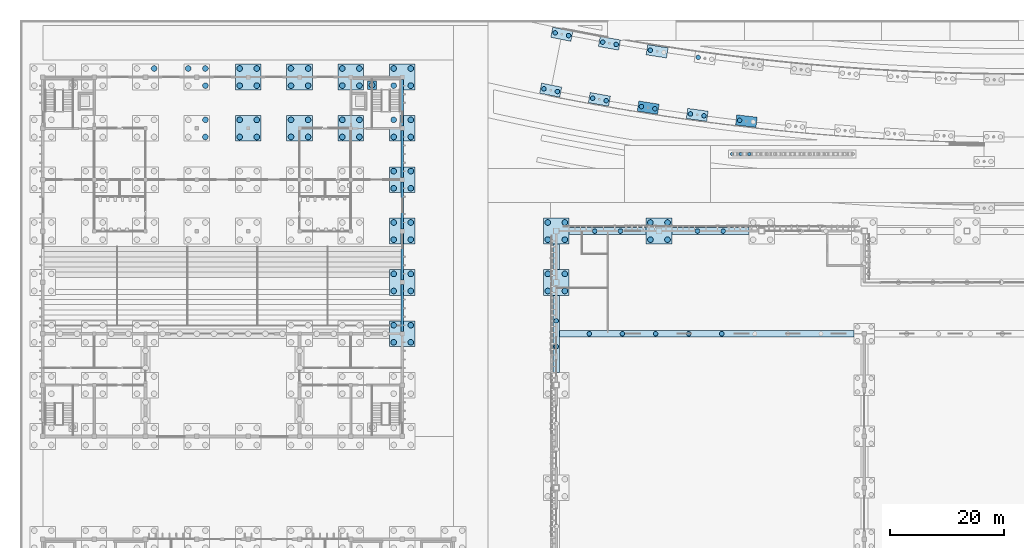
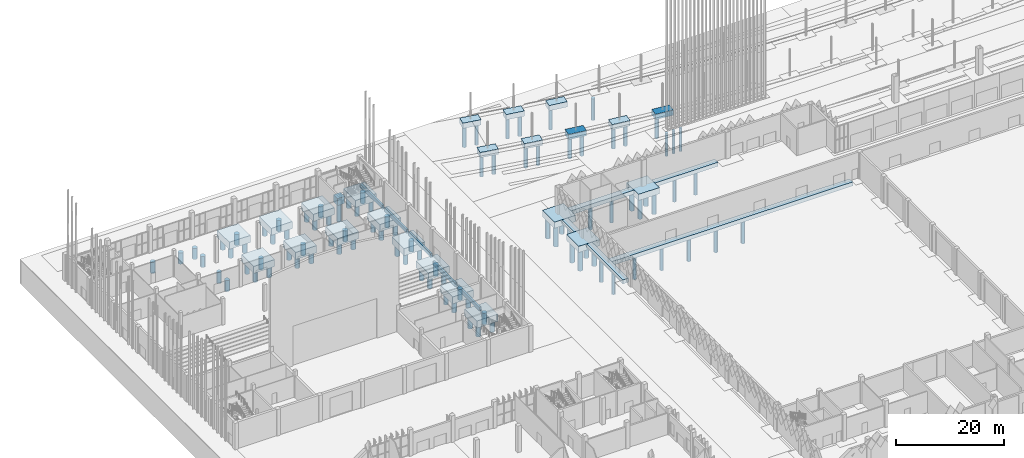
# One storey, part 10 of 198: 96 piles, 34 footings.
"""IFC4 building model written with IfcOpenShell, lengths in metres."""

from ifc_helpers import new_model, si_unit, direction, frame, origin, origin_2d, place, context, subcontext, project, spatial, polyline, circle, outline, extrude, material, layer, layer_set, material_profile, profile_set, type_object, element, save


model = new_model("IFC4")

# Units and contexts
model_context = context("Model", 3, precision=1e-05, world=origin(), true_north=direction((0.0, 1.0)))
body_context = subcontext(model_context, "Body", "Model", "MODEL_VIEW")
ifc_project = project(units=[si_unit("LENGTHUNIT", "METRE"), si_unit("AREAUNIT", "SQUARE_METRE"), si_unit("VOLUMEUNIT", "CUBIC_METRE"), si_unit("PLANEANGLEUNIT", "RADIAN"), si_unit("MASSUNIT", "GRAM", prefix="KILO")], contexts=[model_context])

# Site, building, storey
site_placement = place(None, origin())
site = spatial("IfcSite", under=ifc_project, at=site_placement, CompositionType="ELEMENT")
building_placement = place(site_placement, origin())
building = spatial("IfcBuilding", under=site, at=building_placement, Name="Opaline Strait Convention Centre", CompositionType="ELEMENT")
storey_placement = place(building_placement, origin())
storey = spatial("IfcBuildingStorey", under=building, at=storey_placement, Name="L00", CompositionType="ELEMENT", Elevation=0.0)

# Piles
ifc_material_1 = material(Name="Concrete C35", Category="concrete")
ifc_material_profile_1 = material_profile(ifc_material_1, circle(Radius=0.5, at=origin_2d()), Name="D1000")
ifc_profile_set_1 = profile_set([ifc_material_profile_1], Name="Concrete C35")
pile_type_1 = type_object("IfcPileType", Name="Bored pile D1000 C35", PredefinedType="BORED", material=ifc_profile_set_1)
for number, where, z_axis, x_axis, name in (
    (1, (97.5, 142.5, -1.300048828125), (0.0, 0.0, -1.0), (1.0, 0.0, 0.0), "Bored pile of cap 99/144"),
    (2, (97.5, 145.5, -1.300048828125), (0.0, 0.0, -1.0), (1.0, 0.0, 0.0), "Bored pile of cap 99/144"),
    (3, (100.5, 142.5, -1.300048828125), (0.0, 0.0, -1.0), (1.0, 0.0, 0.0), "Bored pile of cap 99/144"),
    (4, (100.5, 145.5, -1.300048828125), (0.0, 0.0, -1.0), (1.0, 0.0, 0.0), "Bored pile of cap 99/144"),
    (5, (97.5, 151.5, -1.300048828125), (0.0, 0.0, -1.0), (1.0, 0.0, 0.0), "Bored pile of cap 99/153"),
    (6, (97.5, 154.5, -1.300048828125), (0.0, 0.0, -1.0), (1.0, 0.0, 0.0), "Bored pile of cap 99/153"),
    (7, (100.5, 151.5, -1.300048828125), (0.0, 0.0, -1.0), (1.0, 0.0, 0.0), "Bored pile of cap 99/153"),
    (8, (100.5, 154.5, -1.300048828125), (0.0, 0.0, -1.0), (1.0, 0.0, 0.0), "Bored pile of cap 99/153"),
    (9, (115.5, 151.5, -1.300048828125), (0.0, 0.0, -1.0), (1.0, 0.0, 0.0), "Bored pile of cap 117/153"),
    (10, (115.5, 154.5, -1.300048828125), (0.0, 0.0, -1.0), (1.0, 0.0, 0.0), "Bored pile of cap 117/153"),
    (11, (118.5, 151.5, -1.300048828125), (0.0, 0.0, -1.0), (1.0, 0.0, 0.0), "Bored pile of cap 117/153"),
    (12, (118.5, 154.5, -1.300048828125), (0.0, 0.0, -1.0), (1.0, 0.0, 0.0), "Bored pile of cap 117/153"),
):
    element("IfcPile", number, at=place(storey_placement, frame(where, z_axis=z_axis, x_axis=x_axis)), inside=storey, type_object=pile_type_1, Name=name, PredefinedType="BORED", context=body_context, shape_type="SweptSolid", body=[
        extrude(circle(Radius=0.5, at=origin_2d()), origin(), (0.0, 0.0, 1.0), 4.699951171875),
    ])
ifc_material_profile_2 = material_profile(ifc_material_1, circle(Radius=0.5, at=origin_2d()), Name="D1000")
ifc_profile_set_2 = profile_set([ifc_material_profile_2], Name="Concrete C35")
pile_type_2 = type_object("IfcPileType", Name="Bored pile D1000 L2.5 C35", PredefinedType="BORED", material=ifc_profile_set_2)
for number, where, z_axis, x_axis, name in (
    (13, (70.5, 133.5, -3.5), (0.0, 0.0, -1.0), (1.0, 0.0, 0.0), "PPL1 pile 1 of PPC1 at 9/R"),
    (14, (70.5, 136.5, -3.5), (0.0, 0.0, -1.0), (1.0, 0.0, 0.0), "PPL1 pile 2 of PPC1 at 9/R"),
    (15, (73.5, 133.5, -3.5), (0.0, 0.0, -1.0), (1.0, 0.0, 0.0), "PPL1 pile 3 of PPC1 at 9/R"),
    (16, (73.5, 136.5, -3.5), (0.0, 0.0, -1.0), (1.0, 0.0, 0.0), "PPL1 pile 4 of PPC1 at 9/R"),
    (17, (70.5, 142.5, -3.5), (0.0, 0.0, -1.0), (1.0, 0.0, 0.0), "PPL1 pile 1 of PPC1 at 9/S"),
    (18, (70.5, 145.5, -3.5), (0.0, 0.0, -1.0), (1.0, 0.0, 0.0), "PPL1 pile 2 of PPC1 at 9/S"),
    (19, (73.5, 142.5, -3.5), (0.0, 0.0, -1.0), (1.0, 0.0, 0.0), "PPL1 pile 3 of PPC1 at 9/S"),
    (20, (73.5, 145.5, -3.5), (0.0, 0.0, -1.0), (1.0, 0.0, 0.0), "PPL1 pile 4 of PPC1 at 9/S"),
    (21, (70.5, 151.5, -3.5), (0.0, 0.0, -1.0), (1.0, 0.0, 0.0), "PPL1 pile 1 of PPC1 at 9/T"),
    (22, (70.5, 154.5, -3.5), (0.0, 0.0, -1.0), (1.0, 0.0, 0.0), "PPL1 pile 2 of PPC1 at 9/T"),
    (23, (73.5, 151.5, -3.5), (0.0, 0.0, -1.0), (1.0, 0.0, 0.0), "PPL1 pile 3 of PPC1 at 9/T"),
    (24, (73.5, 154.5, -3.5), (0.0, 0.0, -1.0), (1.0, 0.0, 0.0), "PPL1 pile 4 of PPC1 at 9/T"),
    (25, (70.5, 160.5, -3.5), (0.0, 0.0, -1.0), (1.0, 0.0, 0.0), "PPL1 pile 1 of PPC1 at 9/U"),
    (26, (70.5, 163.5, -3.5), (0.0, 0.0, -1.0), (1.0, 0.0, 0.0), "PPL1 pile 2 of PPC1 at 9/U"),
    (27, (73.5, 160.5, -3.5), (0.0, 0.0, -1.0), (1.0, 0.0, 0.0), "PPL1 pile 3 of PPC1 at 9/U"),
    (28, (73.5, 163.5, -3.5), (0.0, 0.0, -1.0), (1.0, 0.0, 0.0), "PPL1 pile 4 of PPC1 at 9/U"),
    (29, (37.5, 169.5, -3.5), (0.0, 0.0, -1.0), (1.0, 0.0, 0.0), "PPL1 pile 3 of PPC1 at 5/V"),
    (30, (37.5, 172.5, -3.5), (0.0, 0.0, -1.0), (1.0, 0.0, 0.0), "PPL1 pile 4 of PPC1 at 5/V"),
    (31, (43.5, 169.5, -3.5), (0.0, 0.0, -1.0), (1.0, 0.0, 0.0), "PPL1 pile 1 of PPC1 at 6/V"),
    (32, (43.5, 172.5, -3.5), (0.0, 0.0, -1.0), (1.0, 0.0, 0.0), "PPL1 pile 2 of PPC1 at 6/V"),
    (33, (46.5, 169.5, -3.5), (0.0, 0.0, -1.0), (1.0, 0.0, 0.0), "PPL1 pile 3 of PPC1 at 6/V"),
    (34, (46.5, 172.5, -3.5), (0.0, 0.0, -1.0), (1.0, 0.0, 0.0), "PPL1 pile 4 of PPC1 at 6/V"),
    (35, (52.5, 169.5, -3.5), (0.0, 0.0, -1.0), (1.0, 0.0, 0.0), "PPL1 pile 1 of PPC1 at 7/V"),
    (36, (52.5, 172.5, -3.5), (0.0, 0.0, -1.0), (1.0, 0.0, 0.0), "PPL1 pile 2 of PPC1 at 7/V"),
    (37, (55.5, 169.5, -3.5), (0.0, 0.0, -1.0), (1.0, 0.0, 0.0), "PPL1 pile 3 of PPC1 at 7/V"),
    (38, (55.5, 172.5, -3.5), (0.0, 0.0, -1.0), (1.0, 0.0, 0.0), "PPL1 pile 4 of PPC1 at 7/V"),
    (39, (61.5, 169.5, -3.5), (0.0, 0.0, -1.0), (1.0, 0.0, 0.0), "PPL1 pile 1 of PPC1 at 8/V"),
    (40, (61.5, 172.5, -3.5), (0.0, 0.0, -1.0), (1.0, 0.0, 0.0), "PPL1 pile 2 of PPC1 at 8/V"),
    (41, (64.5, 169.5, -3.5), (0.0, 0.0, -1.0), (1.0, 0.0, 0.0), "PPL1 pile 3 of PPC1 at 8/V"),
    (42, (64.5, 172.5, -3.5), (0.0, 0.0, -1.0), (1.0, 0.0, 0.0), "PPL1 pile 4 of PPC1 at 8/V"),
    (43, (70.5, 169.5, -3.5), (0.0, 0.0, -1.0), (1.0, 0.0, 0.0), "PPL1 pile 1 of PPC1 at 9/V"),
    (44, (70.5, 172.5, -3.5), (0.0, 0.0, -1.0), (1.0, 0.0, 0.0), "PPL1 pile 2 of PPC1 at 9/V"),
    (45, (73.5, 169.5, -3.5), (0.0, 0.0, -1.0), (1.0, 0.0, 0.0), "PPL1 pile 3 of PPC1 at 9/V"),
    (46, (73.5, 172.5, -3.5), (0.0, 0.0, -1.0), (1.0, 0.0, 0.0), "PPL1 pile 4 of PPC1 at 9/V"),
    (47, (28.5, 181.5, -3.5), (0.0, 0.0, -1.0), (1.0, 0.0, 0.0), "PPL1 pile 4 of PPC1 at 4/W"),
    (48, (34.5, 181.5, -3.5), (0.0, 0.0, -1.0), (1.0, 0.0, 0.0), "PPL1 pile 2 of PPC1 at 5/W"),
    (49, (37.5, 178.5, -3.5), (0.0, 0.0, -1.0), (1.0, 0.0, 0.0), "PPL1 pile 3 of PPC1 at 5/W"),
    (50, (37.5, 181.5, -3.5), (0.0, 0.0, -1.0), (1.0, 0.0, 0.0), "PPL1 pile 4 of PPC1 at 5/W"),
    (51, (43.5, 178.5, -3.5), (0.0, 0.0, -1.0), (1.0, 0.0, 0.0), "PPL1 pile 1 of PPC1 at 6/W"),
    (52, (43.5, 181.5, -3.5), (0.0, 0.0, -1.0), (1.0, 0.0, 0.0), "PPL1 pile 2 of PPC1 at 6/W"),
    (53, (46.5, 178.5, -3.5), (0.0, 0.0, -1.0), (1.0, 0.0, 0.0), "PPL1 pile 3 of PPC1 at 6/W"),
    (54, (46.5, 181.5, -3.5), (0.0, 0.0, -1.0), (1.0, 0.0, 0.0), "PPL1 pile 4 of PPC1 at 6/W"),
    (55, (52.5, 178.5, -3.5), (0.0, 0.0, -1.0), (1.0, 0.0, 0.0), "PPL1 pile 1 of PPC1 at 7/W"),
    (56, (52.5, 181.5, -3.5), (0.0, 0.0, -1.0), (1.0, 0.0, 0.0), "PPL1 pile 2 of PPC1 at 7/W"),
    (57, (55.5, 178.5, -3.5), (0.0, 0.0, -1.0), (1.0, 0.0, 0.0), "PPL1 pile 3 of PPC1 at 7/W"),
    (58, (55.5, 181.5, -3.5), (0.0, 0.0, -1.0), (1.0, 0.0, 0.0), "PPL1 pile 4 of PPC1 at 7/W"),
    (59, (61.5, 178.5, -3.5), (0.0, 0.0, -1.0), (1.0, 0.0, 0.0), "PPL1 pile 1 of PPC1 at 8/W"),
    (60, (61.5, 181.5, -3.5), (0.0, 0.0, -1.0), (1.0, 0.0, 0.0), "PPL1 pile 2 of PPC1 at 8/W"),
    (61, (64.5, 178.5, -3.5), (0.0, 0.0, -1.0), (1.0, 0.0, 0.0), "PPL1 pile 3 of PPC1 at 8/W"),
    (62, (64.5, 181.5, -3.5), (0.0, 0.0, -1.0), (1.0, 0.0, 0.0), "PPL1 pile 4 of PPC1 at 8/W"),
    (63, (70.5, 178.5, -3.5), (0.0, 0.0, -1.0), (1.0, 0.0, 0.0), "PPL1 pile 1 of PPC1 at 9/W"),
    (64, (70.5, 181.5, -3.5), (0.0, 0.0, -1.0), (1.0, 0.0, 0.0), "PPL1 pile 2 of PPC1 at 9/W"),
    (65, (73.5, 178.5, -3.5), (0.0, 0.0, -1.0), (1.0, 0.0, 0.0), "PPL1 pile 3 of PPC1 at 9/W"),
    (66, (73.5, 181.5, -3.5), (0.0, 0.0, -1.0), (1.0, 0.0, 0.0), "PPL1 pile 4 of PPC1 at 9/W"),
):
    element("IfcPile", number, at=place(storey_placement, frame(where, z_axis=z_axis, x_axis=x_axis)), inside=storey, type_object=pile_type_2, Name=name, PredefinedType="BORED", context=body_context, shape_type="SweptSolid", body=[
        extrude(circle(Radius=0.5, at=origin_2d()), origin(), (0.0, 0.0, 1.0), 2.5),
    ])
ifc_material_profile_3 = material_profile(ifc_material_1, circle(Radius=0.5, at=origin_2d()), Name="D1000")
ifc_profile_set_3 = profile_set([ifc_material_profile_3], Name="Concrete C35")
pile_type_3 = type_object("IfcPileType", Name="Bored pile D1000 L4.2 C35", PredefinedType="BORED", material=ifc_profile_set_3)
pile_placement = place(storey_placement, frame((66.699951171875, 178.60009765625, -1.800048828125), z_axis=(0.0, 0.0, -1.0), x_axis=(1.0, 0.0, 0.0)))
element("IfcPile", 67, at=pile_placement, inside=storey, type_object=pile_type_3, Name="PPL2 pile of PPF1 NE", PredefinedType="BORED", context=body_context, shape_type="SweptSolid", body=[
    extrude(circle(Radius=0.5, at=origin_2d()), origin(), (0.0, 0.0, 1.0), 4.199951171875),
])
ifc_material_profile_4 = material_profile(ifc_material_1, circle(Radius=0.300048828125, at=origin_2d()), Name="D600")
ifc_profile_set_4 = profile_set([ifc_material_profile_4], Name="Concrete C35")
pile_type_4 = type_object("IfcPileType", Name="Bored pile D600 L5.2 Concrete C35", PredefinedType="BORED", material=ifc_profile_set_4)
for number, where, z_axis, x_axis, name in (
    (68, (129.820068359375, 166.5, -0.800048828125), (0.0, 0.0, -1.0), (1.0, 0.0, 0.0), "Portal pile 1 of cap W"),
    (69, (131.33154296875, 166.5, -0.800048828125), (0.0, 0.0, -1.0), (1.0, 0.0, 0.0), "Portal pile 2 of cap W"),
    (70, (132.8427734375, 166.5, -0.800048828125), (0.0, 0.0, -1.0), (1.0, 0.0, 0.0), "Portal pile 3 of cap W"),
):
    element("IfcPile", number, at=place(storey_placement, frame(where, z_axis=z_axis, x_axis=x_axis)), inside=storey, type_object=pile_type_4, Name=name, PredefinedType="BORED", context=body_context, shape_type="SweptSolid", body=[
        extrude(circle(Radius=0.300048828125, at=origin_2d()), origin(), (0.0, 0.0, 1.0), 5.199951171875),
    ])
ifc_material_profile_5 = material_profile(ifc_material_1, circle(Radius=0.39990234375, at=origin_2d()), Name="D800")
ifc_profile_set_5 = profile_set([ifc_material_profile_5], Name="Concrete C35")
pile_type_5 = type_object("IfcPileType", Name="Bored pile D800 C35", PredefinedType="BORED", material=ifc_profile_set_5)
for number, where, z_axis, x_axis, name in (
    (71, (105.75, 153.0, -0.800048828125), (0.0, 0.0, -1.0), (1.0, 0.0, 0.0), "Bored pile under pile cap beam 16"),
    (72, (110.25, 153.0, -0.800048828125), (0.0, 0.0, -1.0), (1.0, 0.0, 0.0), "Bored pile under pile cap beam 16"),
    (73, (123.75, 153.0, -0.800048828125), (0.0, 0.0, -1.0), (1.0, 0.0, 0.0), "Bored pile under pile cap beam 17"),
    (74, (128.25, 153.0, -0.800048828125), (0.0, 0.0, -1.0), (1.0, 0.0, 0.0), "Bored pile under pile cap beam 17"),
    (75, (99.0, 132.75, -0.800048828125), (0.0, 0.0, -1.0), (1.0, 0.0, 0.0), "Bored pile under pile cap beam 30"),
    (76, (99.0, 137.25, -0.800048828125), (0.0, 0.0, -1.0), (1.0, 0.0, 0.0), "Bored pile under pile cap beam 30"),
    (77, (104.800048828125, 135.0, -0.800048828125), (0.0, 0.0, -1.0), (1.0, 0.0, 0.0), "Bored pile under pile cap beam 65"),
    (78, (110.60009765625, 135.0, -0.800048828125), (0.0, 0.0, -1.0), (1.0, 0.0, 0.0), "Bored pile under pile cap beam 65"),
    (79, (116.39990234375, 135.0, -0.800048828125), (0.0, 0.0, -1.0), (1.0, 0.0, 0.0), "Bored pile under pile cap beam 65"),
    (80, (122.199951171875, 135.0, -0.800048828125), (0.0, 0.0, -1.0), (1.0, 0.0, 0.0), "Bored pile under pile cap beam 65"),
    (81, (128.0, 135.0, -0.800048828125), (0.0, 0.0, -1.0), (1.0, 0.0, 0.0), "Bored pile under pile cap beam 65"),
):
    element("IfcPile", number, at=place(storey_placement, frame(where, z_axis=z_axis, x_axis=x_axis)), inside=storey, type_object=pile_type_5, Name=name, PredefinedType="BORED", context=body_context, shape_type="SweptSolid", body=[
        extrude(circle(Radius=0.39990234375, at=origin_2d()), origin(), (0.0, 0.0, 1.0), 5.199951171875),
    ])
ifc_material_profile_6 = material_profile(ifc_material_1, circle(Radius=0.39990234375, at=origin_2d()), Name="D800")
ifc_profile_set_6 = profile_set([ifc_material_profile_6], Name="Concrete C35")
pile_type_6 = type_object("IfcPileType", Name="Bored pile D800 L4.9 C35", PredefinedType="BORED", material=ifc_profile_set_6)
for number, where, z_axis, x_axis, name in (
    (82, (96.8427734375, 177.932373046875, -1.10009765625), (0.0, 0.0, -1.0), (1.0, 0.0, 0.0), "Bored pile of arcade cap SC-I01"),
    (83, (99.196044921875, 177.4619140625, -1.10009765625), (0.0, 0.0, -1.0), (1.0, 0.0, 0.0), "Bored pile of arcade cap SC-I01"),
    (84, (105.369384765625, 176.291259765625, -1.10009765625), (0.0, 0.0, -1.0), (1.0, 0.0, 0.0), "Bored pile of arcade cap SC-I02"),
    (85, (107.731689453125, 175.8681640625, -1.10009765625), (0.0, 0.0, -1.0), (1.0, 0.0, 0.0), "Bored pile of arcade cap SC-I02"),
    (86, (113.9287109375, 174.822509765625, -1.10009765625), (0.0, 0.0, -1.0), (1.0, 0.0, 0.0), "Bored pile of arcade cap SC-I03"),
    (87, (116.299072265625, 174.447265625, -1.10009765625), (0.0, 0.0, -1.0), (1.0, 0.0, 0.0), "Bored pile of arcade cap SC-I03"),
    (88, (122.516845703125, 173.5283203125, -1.10009765625), (0.0, 0.0, -1.0), (1.0, 0.0, 0.0), "Bored pile of arcade cap SC-I04"),
    (89, (124.89453125, 173.20166015625, -1.10009765625), (0.0, 0.0, -1.0), (1.0, 0.0, 0.0), "Bored pile of arcade cap SC-I04"),
    (90, (131.130859375, 172.410888671875, -1.10009765625), (0.0, 0.0, -1.0), (1.0, 0.0, 0.0), "Bored pile of arcade cap SC-I05"),
    (91, (98.803955078125, 187.73828125, -1.10009765625), (0.0, 0.0, -1.0), (1.0, 0.0, 0.0), "Bored pile of arcade cap SC-O01"),
    (92, (101.1572265625, 187.267578125, -1.10009765625), (0.0, 0.0, -1.0), (1.0, 0.0, 0.0), "Bored pile of arcade cap SC-O01"),
    (93, (107.13330078125, 186.134521484375, -1.10009765625), (0.0, 0.0, -1.0), (1.0, 0.0, 0.0), "Bored pile of arcade cap SC-O02"),
    (94, (109.49560546875, 185.711181640625, -1.10009765625), (0.0, 0.0, -1.0), (1.0, 0.0, 0.0), "Bored pile of arcade cap SC-O02"),
    (95, (115.491943359375, 184.699462890625, -1.10009765625), (0.0, 0.0, -1.0), (1.0, 0.0, 0.0), "Bored pile of arcade cap SC-O03"),
    (96, (123.877197265625, 183.435302734375, -1.10009765625), (0.0, 0.0, -1.0), (1.0, 0.0, 0.0), "Bored pile of arcade cap SC-O04"),
):
    element("IfcPile", number, at=place(storey_placement, frame(where, z_axis=z_axis, x_axis=x_axis)), inside=storey, type_object=pile_type_6, Name=name, PredefinedType="BORED", context=body_context, shape_type="SweptSolid", body=[
        extrude(circle(Radius=0.39990234375, at=origin_2d()), origin(), (0.0, 0.0, 1.0), 4.89990234375),
    ])

# Footings
footing_type_1 = type_object("IfcFootingType", Name="Ground beam 1200 x 900 C35", PredefinedType="FOOTING_BEAM", material=ifc_material_1)
footing_1_placement = place(storey_placement, frame((0.0, 0.0, -0.89990234375)))
element("IfcFooting", 97, at=footing_1_placement, inside=storey, type_object=footing_type_1, Name="Ground beam 31 on the x = 99 line", PredefinedType="FOOTING_BEAM", context=body_context, shape_type="SweptSolid", body=[
    extrude(outline(polyline([(98.39990234375, 146.25), (99.60009765625, 146.25), (99.60009765625, 150.75), (98.39990234375, 150.75), (98.39990234375, 146.25)])), origin(), (0.0, 0.0, 1.0), 0.89990234375),
])
ifc_layer_1 = layer(ifc_material_1, 1.60009765625)
ifc_layer_set_1 = layer_set([ifc_layer_1], Name="Concrete C35")
footing_type_2 = type_object("IfcFootingType", Name="Pile cap 1500 x 1500 x 1600 C35", PredefinedType="PILE_CAP", material=ifc_layer_set_1)
footing_2_placement = place(storey_placement, frame((0.0, 0.0, -1.89990234375)))
element("IfcFooting", 98, at=footing_2_placement, inside=storey, type_object=footing_type_2, Name="PPF1 pile cap of the NE stair landing column", PredefinedType="PILE_CAP", context=body_context, shape_type="SweptSolid", body=[
    extrude(outline(polyline([(65.949951171875, 177.85009765625), (67.449951171875, 177.85009765625), (67.449951171875, 179.35009765625), (65.949951171875, 179.35009765625), (65.949951171875, 177.85009765625)])), origin(), (0.0, 0.0, 1.0), 1.599853515625),
])
ifc_material_2 = material(Name="Concrete C40", Category="concrete")
ifc_layer_2 = layer(ifc_material_2, 1.199951171875)
ifc_layer_set_2 = layer_set([ifc_layer_2], Name="Concrete C40")
footing_type_3 = type_object("IfcFootingType", Name="Pile cap 3600 x 1800 x 1200 C40", PredefinedType="PILE_CAP", material=ifc_layer_set_2)
footing_3_placement = place(storey_placement, frame((0.0, 0.0, -1.199951171875)))
element("IfcFooting", 99, at=footing_3_placement, inside=storey, type_object=footing_type_3, Name="Arcade pile cap at SC-I01", PredefinedType="PILE_CAP", context=body_context, shape_type="SweptSolid", body=[
    extrude(outline(polyline([(96.077880859375, 177.16748046875), (99.60791015625, 176.461669921875), (99.9609375, 178.2265625), (96.430908203125, 178.9326171875), (96.077880859375, 177.16748046875)])), origin(), (0.0, 0.0, 1.0), 1.199951171875),
])
footing_4_placement = place(storey_placement, frame((0.0, 0.0, -1.199951171875)))
element("IfcFooting", 100, at=footing_4_placement, inside=storey, type_object=footing_type_3, Name="Arcade pile cap at SC-I02", PredefinedType="PILE_CAP", context=body_context, shape_type="SweptSolid", body=[
    extrude(outline(polyline([(104.6201171875, 175.51123046875), (108.16357421875, 174.876220703125), (108.481201171875, 176.648193359375), (104.9375, 177.283203125), (104.6201171875, 175.51123046875)])), origin(), (0.0, 0.0, 1.0), 1.199951171875),
])
footing_5_placement = place(storey_placement, frame((0.0, 0.0, -1.199951171875)))
element("IfcFooting", 101, at=footing_5_placement, inside=storey, type_object=footing_type_3, Name="Arcade pile cap at SC-I03", PredefinedType="PILE_CAP", context=body_context, shape_type="SweptSolid", body=[
    extrude(outline(polyline([(113.1953125, 174.02734375), (116.7509765625, 173.464599609375), (117.032470703125, 175.2421875), (113.4765625, 175.80517578125), (113.1953125, 174.02734375)])), origin(), (0.0, 0.0, 1.0), 1.199951171875),
])
footing_6_placement = place(storey_placement, frame((0.0, 0.0, -1.199951171875)))
element("IfcFooting", 102, at=footing_6_placement, inside=storey, type_object=footing_type_3, Name="Arcade pile cap at SC-I04", PredefinedType="PILE_CAP", context=body_context, shape_type="SweptSolid", body=[
    extrude(outline(polyline([(121.800048828125, 172.718017578125), (125.366455078125, 172.228515625), (125.611328125, 174.01171875), (122.044921875, 174.50146484375), (121.800048828125, 172.718017578125)])), origin(), (0.0, 0.0, 1.0), 1.199951171875),
])
footing_7_placement = place(storey_placement, frame((0.0, 0.0, -1.199951171875)))
element("IfcFooting", 103, at=footing_7_placement, inside=storey, type_object=footing_type_3, Name="Arcade pile cap at SC-I05", PredefinedType="PILE_CAP", context=body_context, shape_type="SweptSolid", body=[
    extrude(outline(polyline([(130.430908203125, 171.586181640625), (134.0068359375, 171.17041015625), (134.214599609375, 172.958251953125), (130.638916015625, 173.3740234375), (130.430908203125, 171.586181640625)])), origin(), (0.0, 0.0, 1.0), 1.199951171875),
])
footing_8_placement = place(storey_placement, frame((0.0, 0.0, -1.199951171875)))
element("IfcFooting", 104, at=footing_8_placement, inside=storey, type_object=footing_type_3, Name="Arcade pile cap at SC-O01", PredefinedType="PILE_CAP", context=body_context, shape_type="SweptSolid", body=[
    extrude(outline(polyline([(98.0390625, 186.973388671875), (101.569091796875, 186.267333984375), (101.922119140625, 188.032470703125), (98.39208984375, 188.73828125), (98.0390625, 186.973388671875)])), origin(), (0.0, 0.0, 1.0), 1.199951171875),
])
footing_9_placement = place(storey_placement, frame((0.0, 0.0, -1.199951171875)))
element("IfcFooting", 105, at=footing_9_placement, inside=storey, type_object=footing_type_3, Name="Arcade pile cap at SC-O02", PredefinedType="PILE_CAP", context=body_context, shape_type="SweptSolid", body=[
    extrude(outline(polyline([(106.3837890625, 185.3544921875), (109.927490234375, 184.719482421875), (110.244873046875, 186.4912109375), (106.701416015625, 187.126220703125), (106.3837890625, 185.3544921875)])), origin(), (0.0, 0.0, 1.0), 1.199951171875),
])
footing_10_placement = place(storey_placement, frame((0.0, 0.0, -1.199951171875)))
element("IfcFooting", 106, at=footing_10_placement, inside=storey, type_object=footing_type_3, Name="Arcade pile cap at SC-O03", PredefinedType="PILE_CAP", context=body_context, shape_type="SweptSolid", body=[
    extrude(outline(polyline([(114.758544921875, 183.904296875), (118.314453125, 183.341552734375), (118.595703125, 185.119384765625), (115.0400390625, 185.68212890625), (114.758544921875, 183.904296875)])), origin(), (0.0, 0.0, 1.0), 1.199951171875),
])
ifc_layer_3 = layer(ifc_material_2, 1.39990234375)
ifc_layer_set_3 = layer_set([ifc_layer_3], Name="Concrete C40")
footing_type_4 = type_object("IfcFootingType", Name="Pile cap 4500 x 4500 x 1400 C40", PredefinedType="PILE_CAP", material=ifc_layer_set_3)
footing_11_placement = place(storey_placement, frame((0.0, 0.0, -1.39990234375)))
element("IfcFooting", 107, at=footing_11_placement, inside=storey, type_object=footing_type_4, Name="Roof column pile cap at 99/144", PredefinedType="PILE_CAP", context=body_context, shape_type="SweptSolid", body=[
    extrude(outline(polyline([(96.75, 141.75), (101.25, 141.75), (101.25, 146.25), (96.75, 146.25), (96.75, 141.75)])), origin(), (0.0, 0.0, 1.0), 1.39990234375),
])
footing_12_placement = place(storey_placement, frame((0.0, 0.0, -1.39990234375)))
element("IfcFooting", 108, at=footing_12_placement, inside=storey, type_object=footing_type_4, Name="Roof column pile cap at 99/153", PredefinedType="PILE_CAP", context=body_context, shape_type="SweptSolid", body=[
    extrude(outline(polyline([(96.75, 150.75), (101.25, 150.75), (101.25, 155.25), (96.75, 155.25), (96.75, 150.75)])), origin(), (0.0, 0.0, 1.0), 1.39990234375),
])
footing_13_placement = place(storey_placement, frame((0.0, 0.0, -1.39990234375)))
element("IfcFooting", 109, at=footing_13_placement, inside=storey, type_object=footing_type_4, Name="Roof column pile cap at 117/153", PredefinedType="PILE_CAP", context=body_context, shape_type="SweptSolid", body=[
    extrude(outline(polyline([(114.75, 150.75), (119.25, 150.75), (119.25, 155.25), (114.75, 155.25), (114.75, 150.75)])), origin(), (0.0, 0.0, 1.0), 1.39990234375),
])
ifc_layer_4 = layer(ifc_material_1, 1.60009765625)
ifc_layer_set_4 = layer_set([ifc_layer_4], Name="Concrete C35")
footing_type_5 = type_object("IfcFootingType", Name="Pile cap 4500 x 4500 x 1600 C35", PredefinedType="PILE_CAP", material=ifc_layer_set_4)
footing_14_placement = place(storey_placement, frame((0.0, 0.0, -3.60009765625)))
element("IfcFooting", 110, at=footing_14_placement, inside=storey, type_object=footing_type_5, Name="PPC1 pile cap at 9/R", PredefinedType="PILE_CAP", context=body_context, shape_type="SweptSolid", body=[
    extrude(outline(polyline([(69.75, 132.75), (74.25, 132.75), (74.25, 137.25), (69.75, 137.25), (69.75, 132.75)])), origin(), (0.0, 0.0, 1.0), 1.60009765625),
])
footing_15_placement = place(storey_placement, frame((0.0, 0.0, -3.60009765625)))
element("IfcFooting", 111, at=footing_15_placement, inside=storey, type_object=footing_type_5, Name="PPC1 pile cap at 9/S", PredefinedType="PILE_CAP", context=body_context, shape_type="SweptSolid", body=[
    extrude(outline(polyline([(69.75, 141.75), (74.25, 141.75), (74.25, 146.25), (69.75, 146.25), (69.75, 141.75)])), origin(), (0.0, 0.0, 1.0), 1.60009765625),
])
footing_16_placement = place(storey_placement, frame((0.0, 0.0, -3.60009765625)))
element("IfcFooting", 112, at=footing_16_placement, inside=storey, type_object=footing_type_5, Name="PPC1 pile cap at 9/T", PredefinedType="PILE_CAP", context=body_context, shape_type="SweptSolid", body=[
    extrude(outline(polyline([(69.75, 150.75), (74.25, 150.75), (74.25, 155.25), (69.75, 155.25), (69.75, 150.75)])), origin(), (0.0, 0.0, 1.0), 1.60009765625),
])
footing_17_placement = place(storey_placement, frame((0.0, 0.0, -3.60009765625)))
element("IfcFooting", 113, at=footing_17_placement, inside=storey, type_object=footing_type_5, Name="PPC1 pile cap at 9/U", PredefinedType="PILE_CAP", context=body_context, shape_type="SweptSolid", body=[
    extrude(outline(polyline([(69.75, 159.75), (74.25, 159.75), (74.25, 164.25), (69.75, 164.25), (69.75, 159.75)])), origin(), (0.0, 0.0, 1.0), 1.60009765625),
])
footing_18_placement = place(storey_placement, frame((0.0, 0.0, -3.60009765625)))
element("IfcFooting", 114, at=footing_18_placement, inside=storey, type_object=footing_type_5, Name="PPC1 pile cap at 6/V", PredefinedType="PILE_CAP", context=body_context, shape_type="SweptSolid", body=[
    extrude(outline(polyline([(42.75, 168.75), (47.25, 168.75), (47.25, 173.25), (42.75, 173.25), (42.75, 168.75)])), origin(), (0.0, 0.0, 1.0), 1.60009765625),
])
footing_19_placement = place(storey_placement, frame((0.0, 0.0, -3.60009765625)))
element("IfcFooting", 115, at=footing_19_placement, inside=storey, type_object=footing_type_5, Name="PPC1 pile cap at 7/V", PredefinedType="PILE_CAP", context=body_context, shape_type="SweptSolid", body=[
    extrude(outline(polyline([(51.75, 168.75), (56.25, 168.75), (56.25, 173.25), (51.75, 173.25), (51.75, 168.75)])), origin(), (0.0, 0.0, 1.0), 1.60009765625),
])
footing_20_placement = place(storey_placement, frame((0.0, 0.0, -3.60009765625)))
element("IfcFooting", 116, at=footing_20_placement, inside=storey, type_object=footing_type_5, Name="PPC1 pile cap at 8/V", PredefinedType="PILE_CAP", context=body_context, shape_type="SweptSolid", body=[
    extrude(outline(polyline([(60.75, 168.75), (65.25, 168.75), (65.25, 173.25), (60.75, 173.25), (60.75, 168.75)])), origin(), (0.0, 0.0, 1.0), 1.60009765625),
])
footing_21_placement = place(storey_placement, frame((0.0, 0.0, -3.60009765625)))
element("IfcFooting", 117, at=footing_21_placement, inside=storey, type_object=footing_type_5, Name="PPC1 pile cap at 9/V", PredefinedType="PILE_CAP", context=body_context, shape_type="SweptSolid", body=[
    extrude(outline(polyline([(69.75, 168.75), (74.25, 168.75), (74.25, 173.25), (69.75, 173.25), (69.75, 168.75)])), origin(), (0.0, 0.0, 1.0), 1.60009765625),
])
footing_22_placement = place(storey_placement, frame((0.0, 0.0, -3.60009765625)))
element("IfcFooting", 118, at=footing_22_placement, inside=storey, type_object=footing_type_5, Name="PPC1 pile cap at 6/W", PredefinedType="PILE_CAP", context=body_context, shape_type="SweptSolid", body=[
    extrude(outline(polyline([(42.75, 177.75), (47.25, 177.75), (47.25, 182.25), (42.75, 182.25), (42.75, 177.75)])), origin(), (0.0, 0.0, 1.0), 1.60009765625),
])
footing_23_placement = place(storey_placement, frame((0.0, 0.0, -3.60009765625)))
element("IfcFooting", 119, at=footing_23_placement, inside=storey, type_object=footing_type_5, Name="PPC1 pile cap at 7/W", PredefinedType="PILE_CAP", context=body_context, shape_type="SweptSolid", body=[
    extrude(outline(polyline([(51.75, 177.75), (56.25, 177.75), (56.25, 182.25), (51.75, 182.25), (51.75, 177.75)])), origin(), (0.0, 0.0, 1.0), 1.60009765625),
])
footing_24_placement = place(storey_placement, frame((0.0, 0.0, -3.60009765625)))
element("IfcFooting", 120, at=footing_24_placement, inside=storey, type_object=footing_type_5, Name="PPC1 pile cap at 8/W", PredefinedType="PILE_CAP", context=body_context, shape_type="SweptSolid", body=[
    extrude(outline(polyline([(60.75, 177.75), (65.25, 177.75), (65.25, 182.25), (60.75, 182.25), (60.75, 177.75)])), origin(), (0.0, 0.0, 1.0), 1.60009765625),
])
footing_25_placement = place(storey_placement, frame((0.0, 0.0, -3.60009765625)))
element("IfcFooting", 121, at=footing_25_placement, inside=storey, type_object=footing_type_5, Name="PPC1 pile cap at 9/W", PredefinedType="PILE_CAP", context=body_context, shape_type="SweptSolid", body=[
    extrude(outline(polyline([(69.75, 177.75), (74.25, 177.75), (74.25, 182.25), (69.75, 182.25), (69.75, 177.75)])), origin(), (0.0, 0.0, 1.0), 1.60009765625),
])
footing_type_6 = type_object("IfcFootingType", Name="Pile cap beam 1200 x 900 C40", PredefinedType="PILE_CAP", material=ifc_material_2)
footing_26_placement = place(storey_placement, frame((0.0, 0.0, -0.89990234375)))
element("IfcFooting", 122, at=footing_26_placement, inside=storey, type_object=footing_type_6, Name="Pile cap beam 16 on the y = 153 line", PredefinedType="PILE_CAP", context=body_context, shape_type="SweptSolid", body=[
    extrude(outline(polyline([(101.25, 152.39990234375), (114.75, 152.39990234375), (114.75, 153.60009765625), (101.25, 153.60009765625), (101.25, 152.39990234375)])), origin(), (0.0, 0.0, 1.0), 0.89990234375),
])
footing_27_placement = place(storey_placement, frame((0.0, 0.0, -0.89990234375)))
element("IfcFooting", 123, at=footing_27_placement, inside=storey, type_object=footing_type_6, Name="Pile cap beam 17 on the y = 153 line", PredefinedType="PILE_CAP", context=body_context, shape_type="SweptSolid", body=[
    extrude(outline(polyline([(119.25, 152.39990234375), (132.75, 152.39990234375), (132.75, 153.60009765625), (119.25, 153.60009765625), (119.25, 152.39990234375)])), origin(), (0.0, 0.0, 1.0), 0.89990234375),
])
footing_28_placement = place(storey_placement, frame((0.0, 0.0, -0.89990234375)))
element("IfcFooting", 124, at=footing_28_placement, inside=storey, type_object=footing_type_6, Name="Pile cap beam 30 on the x = 99 line", PredefinedType="PILE_CAP", context=body_context, shape_type="SweptSolid", body=[
    extrude(outline(polyline([(98.39990234375, 128.25), (99.60009765625, 128.25), (99.60009765625, 141.75), (98.39990234375, 141.75), (98.39990234375, 128.25)])), origin(), (0.0, 0.0, 1.0), 0.89990234375),
])
footing_29_placement = place(storey_placement, frame((0.0, 0.0, -0.89990234375)))
element("IfcFooting", 125, at=footing_29_placement, inside=storey, type_object=footing_type_6, Name="Pile cap beam 65 on the y = 135 line", PredefinedType="PILE_CAP", context=body_context, shape_type="SweptSolid", body=[
    extrude(outline(polyline([(99.60009765625, 134.39990234375), (151.199951171875, 134.39990234375), (151.199951171875, 135.60009765625), (99.60009765625, 135.60009765625), (99.60009765625, 134.39990234375)])), origin(), (0.0, 0.0, 1.0), 0.89990234375),
])
ifc_layer_5 = layer(ifc_material_1, 0.800048828125)
ifc_layer_set_5 = layer_set([ifc_layer_5], Name="Concrete C35")
footing_type_7 = type_object("IfcFootingType", Name="RC wall strip footing 400 x 800 C35", PredefinedType="STRIP_FOOTING", material=ifc_layer_set_5)
footing_30_placement = place(storey_placement, frame((0.0, 0.0, -2.0)))
element("IfcFooting", 126, at=footing_30_placement, inside=storey, type_object=footing_type_7, Name="PWF1 wall strip footing 72-135-144", PredefinedType="STRIP_FOOTING", context=body_context, shape_type="SweptSolid", body=[
    extrude(outline(polyline([(71.800048828125, 135.39990234375), (72.199951171875, 135.39990234375), (72.199951171875, 143.60009765625), (71.800048828125, 143.60009765625), (71.800048828125, 135.39990234375)])), origin(), (0.0, 0.0, 1.0), 0.800048828125),
])
footing_31_placement = place(storey_placement, frame((0.0, 0.0, -2.0)))
element("IfcFooting", 127, at=footing_31_placement, inside=storey, type_object=footing_type_7, Name="PWF1 wall strip footing 72-144-153", PredefinedType="STRIP_FOOTING", context=body_context, shape_type="SweptSolid", body=[
    extrude(outline(polyline([(71.800048828125, 144.39990234375), (72.199951171875, 144.39990234375), (72.199951171875, 152.60009765625), (71.800048828125, 152.60009765625), (71.800048828125, 144.39990234375)])), origin(), (0.0, 0.0, 1.0), 0.800048828125),
])
footing_32_placement = place(storey_placement, frame((0.0, 0.0, -0.800048828125)))
element("IfcFooting", 128, at=footing_32_placement, inside=storey, type_object=footing_type_7, Name="PWF1 wall strip footing 72-153-162", PredefinedType="STRIP_FOOTING", context=body_context, shape_type="SweptSolid", body=[
    extrude(outline(polyline([(71.800048828125, 153.39990234375), (72.199951171875, 153.39990234375), (72.199951171875, 161.60009765625), (71.800048828125, 161.60009765625), (71.800048828125, 153.39990234375)])), origin(), (0.0, 0.0, 1.0), 0.800048828125),
])
footing_33_placement = place(storey_placement, frame((0.0, 0.0, -0.800048828125)))
element("IfcFooting", 129, at=footing_33_placement, inside=storey, type_object=footing_type_7, Name="PWF1 wall strip footing 72-162-171", PredefinedType="STRIP_FOOTING", context=body_context, shape_type="SweptSolid", body=[
    extrude(outline(polyline([(71.800048828125, 162.39990234375), (72.199951171875, 162.39990234375), (72.199951171875, 170.60009765625), (71.800048828125, 170.60009765625), (71.800048828125, 162.39990234375)])), origin(), (0.0, 0.0, 1.0), 0.800048828125),
])
footing_34_placement = place(storey_placement, frame((0.0, 0.0, -0.800048828125)))
element("IfcFooting", 130, at=footing_34_placement, inside=storey, type_object=footing_type_7, Name="PWF1 wall strip footing 72-171-180", PredefinedType="STRIP_FOOTING", context=body_context, shape_type="SweptSolid", body=[
    extrude(outline(polyline([(71.800048828125, 171.39990234375), (72.199951171875, 171.39990234375), (72.199951171875, 179.60009765625), (71.800048828125, 179.60009765625), (71.800048828125, 171.39990234375)])), origin(), (0.0, 0.0, 1.0), 0.800048828125),
])

save(model, "model.ifc")
